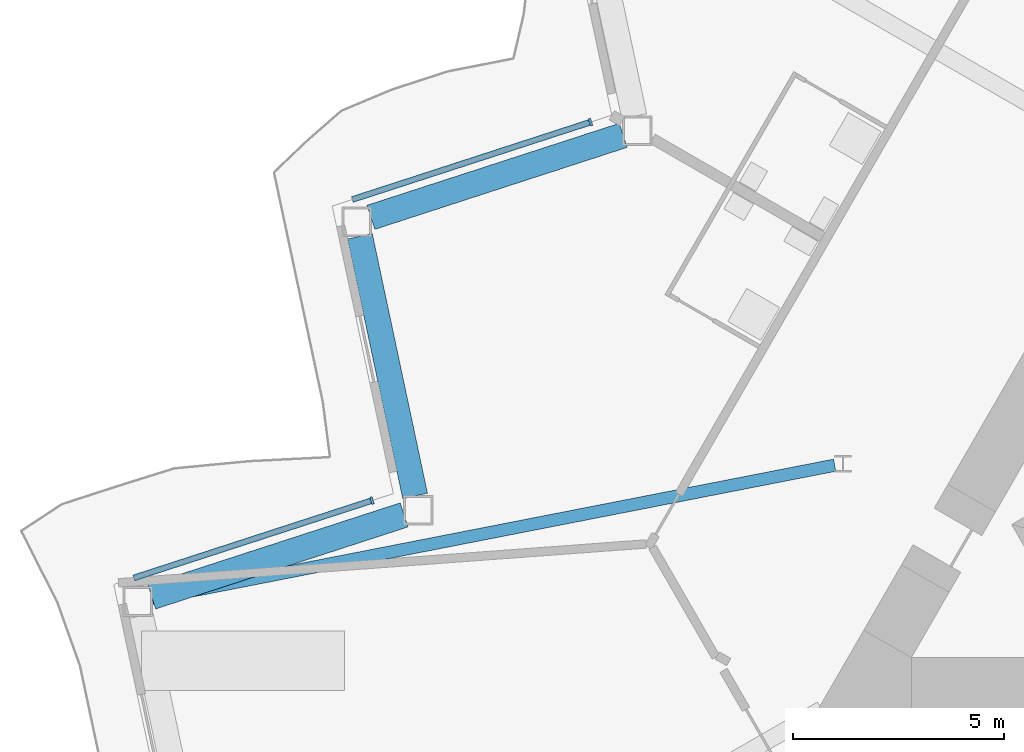
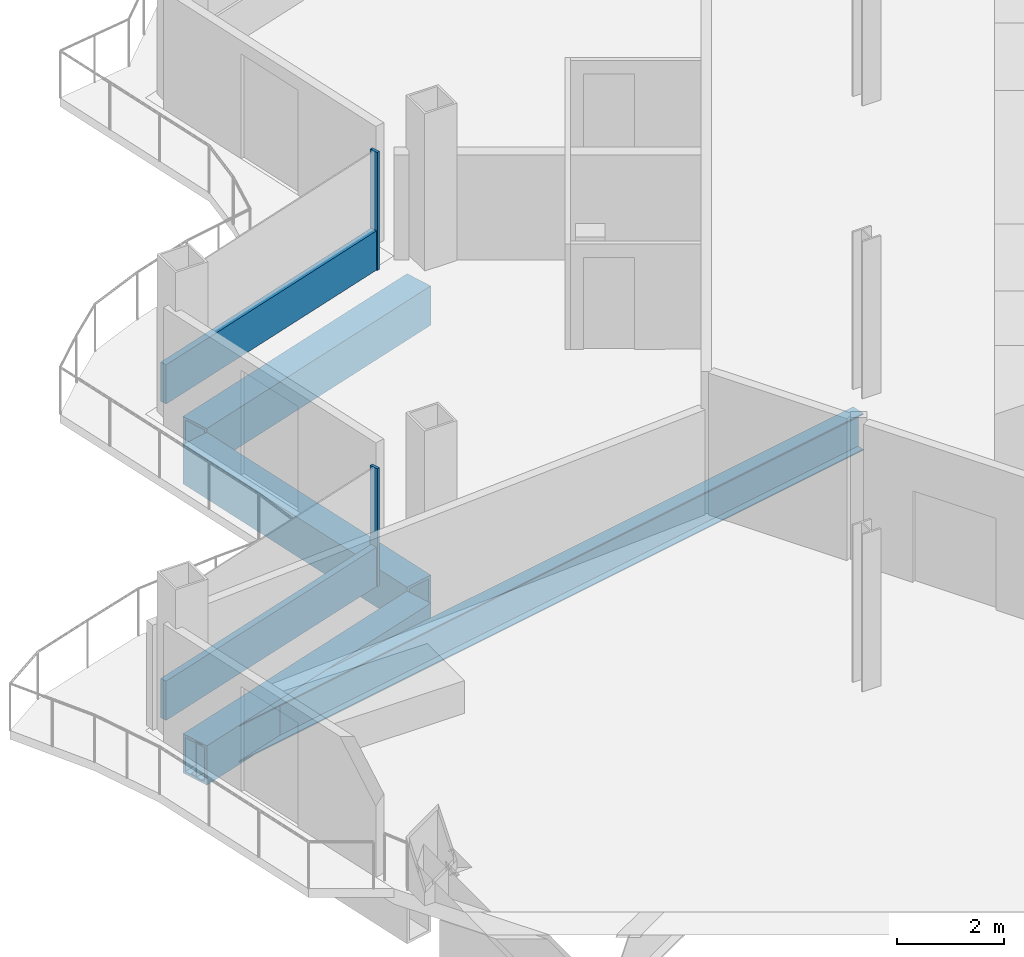
# One storey, part 5 of 24: 4 beams, 4 members, 2 elements without a shape of their own.
"""IFC4 building model written with IfcOpenShell, lengths in metres."""

from ifc_helpers import new_model, si_unit, direction, frame, origin, origin_2d, place, context, subcontext, project, spatial, rectangle, hollow_rectangle, i_section, extrude, material, layer, layer_set, material_profile, profile_set, type_object, element, aggregate, save


model = new_model("IFC4")

# Units and contexts
model_context = context("Model", 3, precision=1e-05, world=origin(), true_north=direction((0.0, 1.0)))
body_context = subcontext(model_context, "Body", "Model", "MODEL_VIEW")
ifc_project = project(units=[si_unit("LENGTHUNIT", "METRE"), si_unit("AREAUNIT", "SQUARE_METRE"), si_unit("VOLUMEUNIT", "CUBIC_METRE"), si_unit("PLANEANGLEUNIT", "RADIAN"), si_unit("MASSUNIT", "GRAM", prefix="KILO")], contexts=[model_context])

# Site, building, storey
site_placement = place(None, origin())
site = spatial("IfcSite", under=ifc_project, at=site_placement, CompositionType="ELEMENT")
building_placement = place(site_placement, origin())
building = spatial("IfcBuilding", under=site, at=building_placement, Name="Cormorant Prow Tower", CompositionType="ELEMENT")
storey_placement = place(building_placement, frame((0.0, 0.0, 231.0)))
storey = spatial("IfcBuildingStorey", under=building, at=storey_placement, Name="L50", CompositionType="ELEMENT", Elevation=231.0)

# Beams
ifc_material_1 = material(Name="Structural steel ASTM A572 Gr 50", Category="steel")
ifc_material_profile_1 = material_profile(ifc_material_1, hollow_rectangle(XDim=0.60009765625, YDim=0.89990234375, WallThickness=0.06005859375, at=origin_2d()), Name="Box 900x600x60")
ifc_profile_set_1 = profile_set([ifc_material_profile_1], Name="Structural steel ASTM A572 Gr 50")
beam_type_1 = type_object("IfcBeamType", Name="Belt truss top chord 900x600x60", PredefinedType="BEAM", material=ifc_profile_set_1)
for number, where, z_axis, x_axis, name in (
    (1, (-19.568115234375, 5.00634765625, -0.800048828125), (-0.951061771288, -0.309000820701, 0.0), (0.309000820701, -0.951061771288, 0.0), "Belt truss top chord TC2 WNW06-WNW07 L50"),
    (2, (-25.80224609375, 2.61474609375, -0.800048828125), (0.207941499013, -0.978141264331, 0.0), (0.978141264331, 0.207941499013, 0.0), "Belt truss top chord TC2 WNW07-WNW08 L50"),
    (3, (-24.75634765625, -3.97998046875, -0.800048828125), (-0.951061771288, -0.309000820701, 0.0), (0.309000820701, -0.951061771288, 0.0), "Belt truss top chord TC2 WNW08-WNW09 L50"),
):
    element("IfcBeam", number, at=place(storey_placement, frame(where, z_axis=z_axis, x_axis=x_axis)), inside=storey, type_object=beam_type_1, Name=name, PredefinedType="BEAM", context=body_context, shape_type="SweptSolid", body=[
        extrude(hollow_rectangle(XDim=0.60009765625, YDim=0.89990234375, WallThickness=0.06005859375, at=origin_2d()), origin(), (0.0, 0.0, 1.0), 6.28125),
    ])

# Curtain wall, member
ifc_material_2 = material(Name="Aluminium 6063-T6", Category="aluminium")
ifc_layer = layer(ifc_material_2, 0.179931640625)
ifc_layer_set = layer_set([ifc_layer], Name="Aluminium 6063-T6")
curtain_wall_type = type_object("IfcCurtainWallType", Name="Hotel unitised curtain wall 180", PredefinedType="NOTDEFINED", material=ifc_layer_set)
curtain_wall_1_placement = place(storey_placement, origin())
curtain_wall_1 = element("IfcCurtainWall", 4, at=curtain_wall_1_placement, inside=storey, type_object=curtain_wall_type, Name="Hotel curtain wall WNW06", PredefinedType="NOTDEFINED")
ifc_material_3 = material(Name="Aluminium 6063-T6", Category="aluminium")
ifc_material_profile_2 = material_profile(ifc_material_3, rectangle(XDim=0.179931640625, YDim=0.06005859375, at=origin_2d()), Name="Hotel mullion 60x180")
ifc_profile_set_2 = profile_set([ifc_material_profile_2], Name="Aluminium 6063-T6")
member_type_1 = type_object("IfcMemberType", Name="Hotel mullion 60x180", PredefinedType="MULLION", material=ifc_profile_set_2)
member_1_placement = place(storey_placement, frame((-20.3447265625, 5.318359375, 0.0), z_axis=(0.0, 0.0, 1.0), x_axis=(0.309017039126, -0.951056501755, 0.0)))
member_1 = element("IfcMember", 5, at=member_1_placement, type_object=member_type_1, Name="Hotel mullion WNW06", PredefinedType="MULLION", context=body_context, shape_type="SweptSolid", body=[
    extrude(rectangle(XDim=0.179931640625, YDim=0.06005859375, at=origin_2d()), origin(), (0.0, 0.0, 1.0), 2.700927734375),
])

curtain_wall_2_placement = place(storey_placement, origin())
curtain_wall_2 = element("IfcCurtainWall", 6, at=curtain_wall_2_placement, inside=storey, type_object=curtain_wall_type, Name="Hotel curtain wall WNW08", PredefinedType="NOTDEFINED")
member_2_placement = place(storey_placement, frame((-25.5166015625, -3.6396484375, 0.0), z_axis=(0.0, 0.0, 1.0), x_axis=(0.309016951383, -0.951056530264, 0.0)))
member_2 = element("IfcMember", 7, at=member_2_placement, type_object=member_type_1, Name="Hotel mullion WNW08", PredefinedType="MULLION", context=body_context, shape_type="SweptSolid", body=[
    extrude(rectangle(XDim=0.179931640625, YDim=0.06005859375, at=origin_2d()), origin(), (0.0, 0.0, 1.0), 2.700927734375),
])

# Member
ifc_material_4 = material(Name="Terracotta", Category="masonry")
ifc_material_profile_3 = material_profile(ifc_material_4, rectangle(XDim=0.139892578125, YDim=0.89990234375, at=origin_2d()), Name="Hotel terracotta spandrel rail 140x900")
ifc_profile_set_3 = profile_set([ifc_material_profile_3], Name="Terracotta")
member_type_2 = type_object("IfcMemberType", Name="Hotel terracotta spandrel rail 140x900", PredefinedType="USERDEFINED", material=ifc_profile_set_3)
member_3_placement = place(storey_placement, frame((-20.373291015625, 5.30908203125, 0.449951171875), z_axis=(-0.951048974849, -0.309040203597, 0.0), x_axis=(0.309040203597, -0.951048974849, 0.0)))
member_3 = element("IfcMember", 8, at=member_3_placement, type_object=member_type_2, Name="Hotel spandrel rail WNW06", ObjectType="TRANSOM", PredefinedType="USERDEFINED", context=body_context, shape_type="SweptSolid", body=[
    extrude(rectangle(XDim=0.139892578125, YDim=0.89990234375, at=origin_2d()), origin(), (0.0, 0.0, 1.0), 5.897216796875),
])

aggregate(curtain_wall_1, [member_1, member_3])

member_4_placement = place(storey_placement, frame((-25.545166015625, -3.64892578125, 0.449951171875), z_axis=(-0.951048974849, -0.309040203597, 0.0), x_axis=(0.309040203597, -0.951048974849, 0.0)))
member_4 = element("IfcMember", 9, at=member_4_placement, type_object=member_type_2, Name="Hotel spandrel rail WNW08", ObjectType="TRANSOM", PredefinedType="USERDEFINED", context=body_context, shape_type="SweptSolid", body=[
    extrude(rectangle(XDim=0.139892578125, YDim=0.89990234375, at=origin_2d()), origin(), (0.0, 0.0, 1.0), 5.897216796875),
])

aggregate(curtain_wall_2, [member_2, member_4])

# Beam
ifc_material_5 = material(Name="Structural steel ASTM A992 Gr 50", Category="steel")
ifc_material_profile_4 = material_profile(ifc_material_5, i_section(OverallWidth=0.29296875, OverallDepth=0.845703125, WebThickness=0.015380859375, FlangeThickness=0.0244140625, at=origin_2d()), Name="W33x141")
ifc_profile_set_4 = profile_set([ifc_material_profile_4], Name="Structural steel ASTM A992 Gr 50")
beam_type_2 = type_object("IfcBeamType", Name="Radial floor beam W33x141", PredefinedType="BEAM", material=ifc_profile_set_4)
beam_placement = place(storey_placement, frame((-14.5634765625, -2.80322265625, -0.77294921875), z_axis=(-0.981419133752, -0.191876220269, 0.0), x_axis=(0.191876220269, -0.981419133752, 0.0)))
element("IfcBeam", 10, at=beam_placement, inside=storey, type_object=beam_type_2, Name="Radial floor beam FB2 4 L50", PredefinedType="BEAM", context=body_context, shape_type="SweptSolid", body=[
    extrude(i_section(OverallWidth=0.29296875, OverallDepth=0.845703125, WebThickness=0.015380859375, FlangeThickness=0.0244140625, at=origin_2d()), origin(), (0.0, 0.0, 1.0), 16.462158203125),
])

save(model, "model.ifc")
